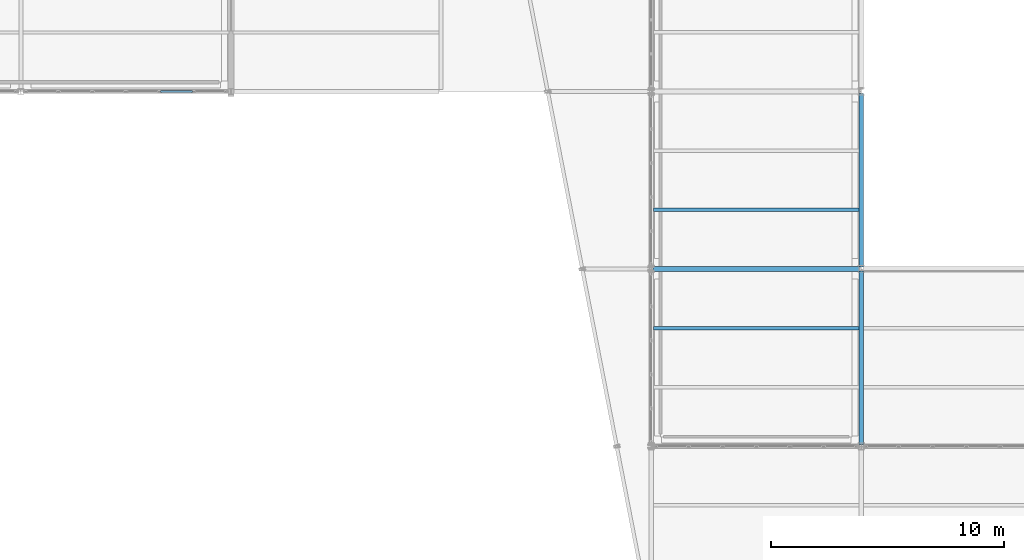
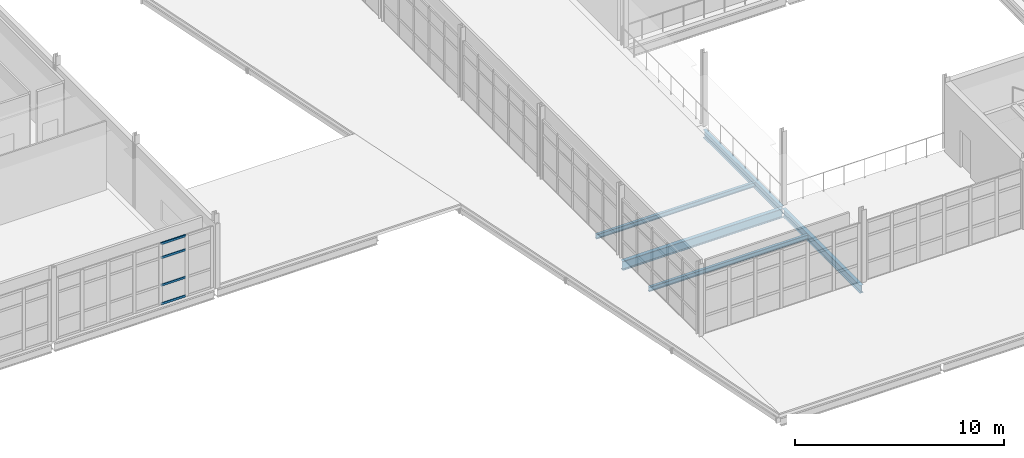
# One storey, part 41 of 96: 5 beams, 4 members, 1 element without a shape of its own.
"""IFC4 building model written with IfcOpenShell, lengths in metres."""

from ifc_helpers import new_model, si_unit, direction, frame, origin, origin_2d, place, context, subcontext, project, spatial, hollow_rectangle, i_section, extrude, material, material_profile, profile_set, type_object, element, aggregate, save


model = new_model("IFC4")

# Units and contexts
model_context = context("Model", 3, precision=1e-05, world=origin(), true_north=direction((0.0, 1.0)))
body_context = subcontext(model_context, "Body", "Model", "MODEL_VIEW")
ifc_project = project(units=[si_unit("LENGTHUNIT", "METRE"), si_unit("AREAUNIT", "SQUARE_METRE"), si_unit("VOLUMEUNIT", "CUBIC_METRE"), si_unit("PLANEANGLEUNIT", "RADIAN"), si_unit("MASSUNIT", "GRAM", prefix="KILO")], contexts=[model_context])

# Site, building, storey
site_placement = place(None, origin())
site = spatial("IfcSite", under=ifc_project, at=site_placement, CompositionType="ELEMENT")
building_placement = place(site_placement, origin())
building = spatial("IfcBuilding", under=site, at=building_placement, Name="Caisbarro Railhouse Central Library", CompositionType="ELEMENT")
storey_placement = place(building_placement, frame((0.0, 0.0, 13.679931640625)))
storey = spatial("IfcBuildingStorey", under=building, at=storey_placement, Name="L03", CompositionType="ELEMENT", Elevation=13.679931640625)

# Beams
ifc_material_1 = material(Name="Steel ASTM A572 Grade 50", Category="steel")
ifc_material_profile_1 = material_profile(ifc_material_1, i_section(OverallWidth=0.208984375, OverallDepth=0.532958984375, WebThickness=0.01025390625, FlangeThickness=0.015625, FilletRadius=0.02001953125, at=origin_2d()), Name="W530X92.0")
ifc_profile_set_1 = profile_set([ifc_material_profile_1], Name="Steel ASTM A572 Grade 50")
beam_type_1 = type_object("IfcBeamType", Name="BM-G06", PredefinedType="BEAM", material=ifc_profile_set_1)
beam_placement = place(storey_placement, frame((117.080078125, 76.0, -0.486328125), z_axis=(1.0, 0.0, 0.0), x_axis=(0.0, 1.0, 0.0)))
element("IfcBeam", 1, at=beam_placement, inside=storey, type_object=beam_type_1, Name="G06 beam L03 #1859", PredefinedType="BEAM", context=body_context, shape_type="SweptSolid", body=[
    extrude(i_section(OverallWidth=0.208984375, OverallDepth=0.532958984375, WebThickness=0.01025390625, FlangeThickness=0.015625, FilletRadius=0.02001953125, at=origin_2d()), origin(), (0.0, 0.0, 1.0), 8.83984375),
])
ifc_material_profile_2 = material_profile(ifc_material_1, i_section(OverallWidth=0.18994140625, OverallDepth=0.45703125, WebThickness=0.009033203125, FlangeThickness=0.014404296875, FilletRadius=0.01806640625, at=origin_2d()), Name="W460X74.0")
ifc_profile_set_2 = profile_set([ifc_material_profile_2], Name="Steel ASTM A572 Grade 50")
beam_type_2 = type_object("IfcBeamType", Name="BM-G08", PredefinedType="BEAM", material=ifc_profile_set_2)
for number, where, z_axis, x_axis, name in (
    (2, (126.0, 68.47998046875, -0.448486328125), (0.0, 1.0, 0.0), (-1.0, 0.0, 0.0), "G08 beam L03 #1887"),
    (3, (126.0, 76.080078125, -0.448486328125), (0.0, 1.0, 0.0), (-1.0, 0.0, 0.0), "G08 beam L03 #1888"),
):
    element("IfcBeam", number, at=place(storey_placement, frame(where, z_axis=z_axis, x_axis=x_axis)), inside=storey, type_object=beam_type_2, Name=name, PredefinedType="BEAM", context=body_context, shape_type="SweptSolid", body=[
        extrude(i_section(OverallWidth=0.18994140625, OverallDepth=0.45703125, WebThickness=0.009033203125, FlangeThickness=0.014404296875, FilletRadius=0.01806640625, at=origin_2d()), origin(), (0.0, 0.0, 1.0), 7.43994140625),
    ])
ifc_material_profile_3 = material_profile(ifc_material_1, i_section(OverallWidth=0.14794921875, OverallDepth=0.26611328125, WebThickness=0.007568359375, FlangeThickness=0.012939453125, FilletRadius=0.010009765625, at=origin_2d()), Name="W250X44.8")
ifc_profile_set_3 = profile_set([ifc_material_profile_3], Name="Steel ASTM A572 Grade 50")
beam_type_3 = type_object("IfcBeamType", Name="BM-J04", PredefinedType="JOIST", material=ifc_profile_set_3)
for number, where, z_axis, x_axis, name in (
    (4, (117.10009765625, 73.466796875, -0.35302734375), (1.0, 0.0, 0.0), (0.0, 1.0, 0.0), "J04 beam L03 #1910"),
    (5, (117.10009765625, 78.533203125, -0.35302734375), (1.0, 0.0, 0.0), (0.0, 1.0, 0.0), "J04 beam L03 #1911"),
):
    element("IfcBeam", number, at=place(storey_placement, frame(where, z_axis=z_axis, x_axis=x_axis)), inside=storey, type_object=beam_type_3, Name=name, PredefinedType="JOIST", context=body_context, shape_type="SweptSolid", body=[
        extrude(i_section(OverallWidth=0.14794921875, OverallDepth=0.26611328125, WebThickness=0.007568359375, FlangeThickness=0.012939453125, FilletRadius=0.010009765625, at=origin_2d()), origin(), (0.0, 0.0, 1.0), 8.804931640625),
    ])

# Curtain wall, members
ifc_material_2 = material(Name="Anodised architectural aluminium", Category="aluminium")
curtain_wall_type = type_object("IfcCurtainWallType", Name="CW-CW02", PredefinedType="NOTDEFINED", material=ifc_material_2)
curtain_wall_placement = place(storey_placement, origin())
curtain_wall = element("IfcCurtainWall", 6, at=curtain_wall_placement, inside=storey, type_object=curtain_wall_type, Name="CW02 curtain wall L03 #190", PredefinedType="NOTDEFINED")
ifc_material_profile_4 = material_profile(ifc_material_2, hollow_rectangle(XDim=0.06494140625, YDim=0.1201171875, WallThickness=0.00341796875, at=origin_2d()), Name="ALU-TRN-65X120")
ifc_profile_set_4 = profile_set([ifc_material_profile_4], Name="Anodised architectural aluminium")
member_type = type_object("IfcMemberType", Name="CWT-T02", PredefinedType="USERDEFINED", material=ifc_profile_set_4)
member_1_placement = place(storey_placement, frame((95.984130859375, 83.60009765625, 0.032470703125), z_axis=(1.0, 0.0, 0.0), x_axis=(0.0, 1.0, 0.0)))
member_1 = element("IfcMember", 7, at=member_1_placement, type_object=member_type, Name="CW02 transom 5.1", ObjectType="TRANSOM", PredefinedType="USERDEFINED", context=body_context, shape_type="SweptSolid", body=[
    extrude(hollow_rectangle(XDim=0.06494140625, YDim=0.1201171875, WallThickness=0.00341796875, at=origin_2d()), origin(), (0.0, 0.0, 1.0), 1.37158203125),
])
member_2_placement = place(storey_placement, frame((95.984130859375, 83.60009765625, 1.1201171875), z_axis=(1.0, 0.0, 0.0), x_axis=(0.0, 1.0, 0.0)))
member_2 = element("IfcMember", 8, at=member_2_placement, type_object=member_type, Name="CW02 transom 5.2", ObjectType="TRANSOM", PredefinedType="USERDEFINED", context=body_context, shape_type="SweptSolid", body=[
    extrude(hollow_rectangle(XDim=0.06494140625, YDim=0.1201171875, WallThickness=0.00341796875, at=origin_2d()), origin(), (0.0, 0.0, 1.0), 1.37158203125),
])
member_3_placement = place(storey_placement, frame((95.984130859375, 83.60009765625, 2.72998046875), z_axis=(1.0, 0.0, 0.0), x_axis=(0.0, 1.0, 0.0)))
member_3 = element("IfcMember", 9, at=member_3_placement, type_object=member_type, Name="CW02 transom 5.3", ObjectType="TRANSOM", PredefinedType="USERDEFINED", context=body_context, shape_type="SweptSolid", body=[
    extrude(hollow_rectangle(XDim=0.06494140625, YDim=0.1201171875, WallThickness=0.00341796875, at=origin_2d()), origin(), (0.0, 0.0, 1.0), 1.37158203125),
])
member_4_placement = place(storey_placement, frame((95.984130859375, 83.60009765625, 3.547607421875), z_axis=(1.0, 0.0, 0.0), x_axis=(0.0, 1.0, 0.0)))
member_4 = element("IfcMember", 10, at=member_4_placement, type_object=member_type, Name="CW02 transom 5.4", ObjectType="TRANSOM", PredefinedType="USERDEFINED", context=body_context, shape_type="SweptSolid", body=[
    extrude(hollow_rectangle(XDim=0.06494140625, YDim=0.1201171875, WallThickness=0.00341796875, at=origin_2d()), origin(), (0.0, 0.0, 1.0), 1.37158203125),
])
aggregate(curtain_wall, [member_1, member_2, member_3, member_4])

save(model, "model.ifc")
